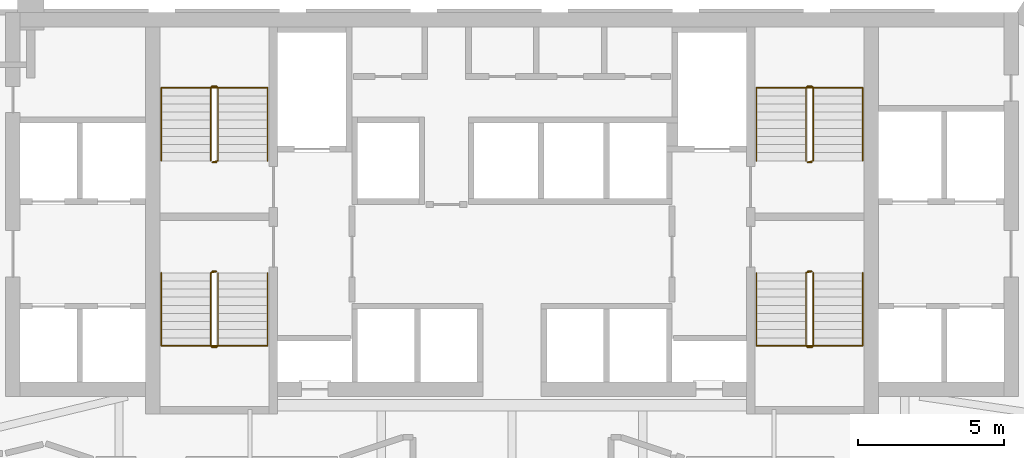
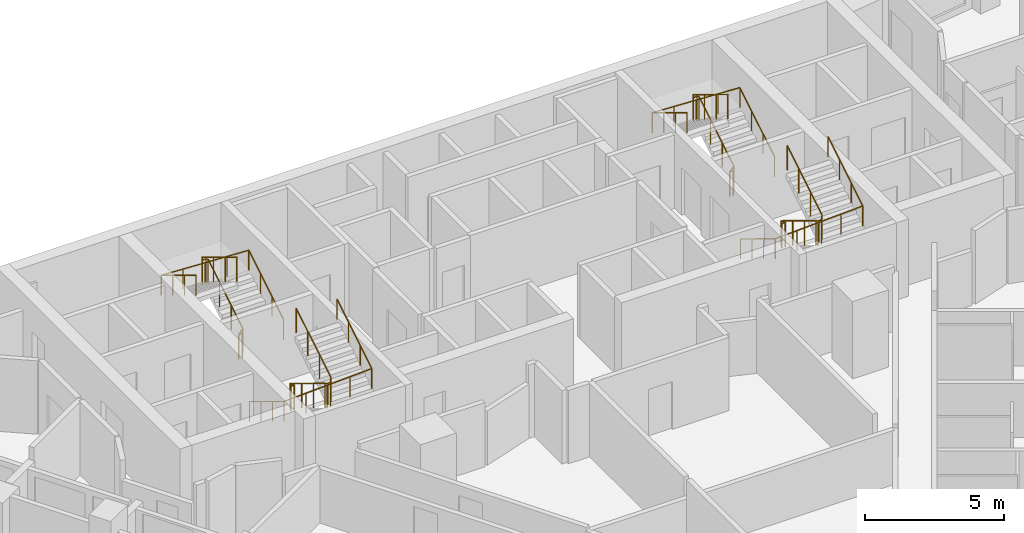
# One storey, part 11 of 11: 8 railings.
"""IFC4 building model written with IfcOpenShell, lengths in metres."""

from ifc_helpers import new_model, si_unit, direction, frame, origin, origin_2d, place, context, subcontext, project, spatial, circle, extrude, material, type_object, element, save


model = new_model("IFC4")

# Units and contexts
model_context = context("Model", 3, precision=1e-05, world=origin(), true_north=direction((0.0, 1.0)))
body_context = subcontext(model_context, "Body", "Model", "MODEL_VIEW")
ifc_project = project(units=[si_unit("LENGTHUNIT", "METRE"), si_unit("AREAUNIT", "SQUARE_METRE"), si_unit("VOLUMEUNIT", "CUBIC_METRE"), si_unit("PLANEANGLEUNIT", "RADIAN"), si_unit("MASSUNIT", "GRAM", prefix="KILO")], contexts=[model_context])

# Site, building, storey
site_placement = place(None, origin())
site = spatial("IfcSite", under=ifc_project, at=site_placement, CompositionType="ELEMENT")
building_placement = place(site_placement, origin())
building = spatial("IfcBuilding", under=site, at=building_placement, Name="Calabash Gate Tower", CompositionType="ELEMENT")
storey_placement = place(building_placement, frame((0.0, 0.0, 119.0)))
storey = spatial("IfcBuildingStorey", under=building, at=storey_placement, Name="L27", CompositionType="ELEMENT", Elevation=119.0)

# Railings
ifc_material_1 = material(Name="Black powder-coated steel balusters", Category="steel")
railing_type_1 = type_object("IfcRailingType", Name="Stair guard RL1100", PredefinedType="GUARDRAIL", material=ifc_material_1)
railing_1_placement = place(storey_placement, frame((-10.14990234375, 13.902587890625, 0.0)))
element("IfcRailing", 1, at=railing_1_placement, inside=storey, type_object=railing_type_1, Name="L27 ST1 stair guard 1", PredefinedType="GUARDRAIL", context=body_context, shape_type="SweptSolid", body=[
    extrude(circle(Radius=0.02392578125, at=origin_2d()), frame((0.0, 0.0, 1.076171875), z_axis=(-1.0, 0.0, 0.0), x_axis=(0.0, -1.0, 0.0)), (0.0, 0.0, 1.0), 0.150146484375),
    extrude(circle(Radius=0.02392578125, at=origin_2d()), frame((-0.150146484375, 0.0, 1.076171875), z_axis=(0.748514443355, 0.187357095101, 0.636100186295), x_axis=(-0.242814311512, 0.970072785993, 0.0)), (0.0, 0.0, 1.0), 0.26708984375),
    extrude(circle(Radius=0.02392578125, at=origin_2d()), frame((0.0498046875, 0.050048828125, 1.24609375), z_axis=(0.0, 0.853956361026, 0.520344629514), x_axis=(-1.0, 0.0, 0.0)), (0.0, 0.0, 1.0), 2.9404296875),
    extrude(circle(Radius=0.02392578125, at=origin_2d()), frame((0.0498046875, 2.56103515625, 2.77587890625), z_axis=(-0.705375805398, 0.708833529934, 0.0), x_axis=(-0.708833529934, -0.705375805398, 0.0)), (0.0, 0.0, 1.0), 0.070556640625),
    extrude(circle(Radius=0.02392578125, at=origin_2d()), frame((0.0, 2.611083984375, 2.77587890625), z_axis=(-1.0, 0.0, 0.0), x_axis=(0.0, -1.0, 0.0)), (0.0, 0.0, 1.0), 0.150146484375),
    extrude(circle(Radius=0.02392578125, at=origin_2d()), frame((-0.150146484375, 2.611083984375, 2.77587890625), z_axis=(-0.271562723297, -0.271562723297, 0.923313259209), x_axis=(0.707106781187, -0.707106781187, 0.0)), (0.0, 0.0, 1.0), 0.184326171875),
    extrude(circle(Radius=0.02392578125, at=origin_2d()), frame((-0.2001953125, 2.56103515625, 2.9462890625), z_axis=(0.0, -0.853993254676, 0.52028407718), x_axis=(1.0, 0.0, 0.0)), (0.0, 0.0, 1.0), 2.940185546875),
    extrude(circle(Radius=0.02099609375, at=origin_2d()), origin(), (0.0, 0.0, 1.0), 1.052001953125),
    extrude(circle(Radius=0.02099609375, at=origin_2d()), frame((-0.150146484375, 0.0, 0.0)), (0.0, 0.0, 1.0), 1.052001953125),
    extrude(circle(Radius=0.02099609375, at=origin_2d()), frame((0.0498046875, 0.050048828125, 0.169921875)), (0.0, 0.0, 1.0), 1.052001953125),
    extrude(circle(Radius=0.02099609375, at=origin_2d()), frame((0.0498046875, 0.886962890625, 0.679931640625)), (0.0, 0.0, 1.0), 1.052001953125),
    extrude(circle(Radius=0.02099609375, at=origin_2d()), frame((0.0498046875, 1.72412109375, 1.18994140625)), (0.0, 0.0, 1.0), 1.052001953125),
    extrude(circle(Radius=0.02099609375, at=origin_2d()), frame((0.0498046875, 2.56103515625, 1.699951171875)), (0.0, 0.0, 1.0), 1.052001953125),
    extrude(circle(Radius=0.02099609375, at=origin_2d()), frame((0.0, 2.611083984375, 1.699951171875)), (0.0, 0.0, 1.0), 1.052001953125),
    extrude(circle(Radius=0.02099609375, at=origin_2d()), frame((-0.150146484375, 2.611083984375, 1.699951171875)), (0.0, 0.0, 1.0), 1.052001953125),
    extrude(circle(Radius=0.02099609375, at=origin_2d()), frame((-0.2001953125, 2.56103515625, 1.8701171875)), (0.0, 0.0, 1.0), 1.052001953125),
    extrude(circle(Radius=0.02099609375, at=origin_2d()), frame((-0.2001953125, 1.72412109375, 2.380126953125)), (0.0, 0.0, 1.0), 1.052001953125),
    extrude(circle(Radius=0.02099609375, at=origin_2d()), frame((-0.2001953125, 0.886962890625, 2.889892578125)), (0.0, 0.0, 1.0), 1.052001953125),
    extrude(circle(Radius=0.02099609375, at=origin_2d()), frame((-0.2001953125, 0.050048828125, 3.39990234375)), (0.0, 0.0, 1.0), 1.052001953125),
])
railing_2_placement = place(storey_placement, frame((-10.300048828125, 10.152587890625, 0.0)))
element("IfcRailing", 2, at=railing_2_placement, inside=storey, type_object=railing_type_1, Name="L27 ST2 stair guard 1", PredefinedType="GUARDRAIL", context=body_context, shape_type="SweptSolid", body=[
    extrude(circle(Radius=0.02392578125, at=origin_2d()), frame((0.0, 0.0, 1.076171875), z_axis=(1.0, 0.0, 0.0), x_axis=(0.0, 1.0, 0.0)), (0.0, 0.0, 1.0), 0.150146484375),
    extrude(circle(Radius=0.02392578125, at=origin_2d()), frame((0.150146484375, 0.0, 1.076171875), z_axis=(-0.748915913269, -0.187228978317, 0.635665214189), x_axis=(0.242535625036, -0.970142500145, 0.0)), (0.0, 0.0, 1.0), 0.267333984375),
    extrude(circle(Radius=0.02392578125, at=origin_2d()), frame((-0.050048828125, -0.050048828125, 1.24609375), z_axis=(0.0, -0.853956361026, 0.520344629514), x_axis=(1.0, 0.0, 0.0)), (0.0, 0.0, 1.0), 2.9404296875),
    extrude(circle(Radius=0.02392578125, at=origin_2d()), frame((-0.050048828125, -2.56103515625, 2.77587890625), z_axis=(0.707106781187, -0.707106781187, 0.0), x_axis=(0.707106781187, 0.707106781187, 0.0)), (0.0, 0.0, 1.0), 0.07080078125),
    extrude(circle(Radius=0.02392578125, at=origin_2d()), frame((0.0, -2.611083984375, 2.77587890625), z_axis=(1.0, 0.0, 0.0), x_axis=(0.0, 1.0, 0.0)), (0.0, 0.0, 1.0), 0.150146484375),
    extrude(circle(Radius=0.02392578125, at=origin_2d()), frame((0.150146484375, -2.611083984375, 2.77587890625), z_axis=(0.270335057127, 0.271660228976, 0.923644778517), x_axis=(-0.708833529934, 0.705375805398, 0.0)), (0.0, 0.0, 1.0), 0.184326171875),
    extrude(circle(Radius=0.02392578125, at=origin_2d()), frame((0.199951171875, -2.56103515625, 2.9462890625), z_axis=(0.0, 0.853993254676, 0.52028407718), x_axis=(-1.0, 0.0, 0.0)), (0.0, 0.0, 1.0), 2.940185546875),
    extrude(circle(Radius=0.02099609375, at=origin_2d()), origin(), (0.0, 0.0, 1.0), 1.052001953125),
    extrude(circle(Radius=0.02099609375, at=origin_2d()), frame((0.150146484375, 0.0, 0.0)), (0.0, 0.0, 1.0), 1.052001953125),
    extrude(circle(Radius=0.02099609375, at=origin_2d()), frame((-0.050048828125, -0.050048828125, 0.169921875)), (0.0, 0.0, 1.0), 1.052001953125),
    extrude(circle(Radius=0.02099609375, at=origin_2d()), frame((-0.050048828125, -0.886962890625, 0.679931640625)), (0.0, 0.0, 1.0), 1.052001953125),
    extrude(circle(Radius=0.02099609375, at=origin_2d()), frame((-0.050048828125, -1.72412109375, 1.18994140625)), (0.0, 0.0, 1.0), 1.052001953125),
    extrude(circle(Radius=0.02099609375, at=origin_2d()), frame((-0.050048828125, -2.56103515625, 1.699951171875)), (0.0, 0.0, 1.0), 1.052001953125),
    extrude(circle(Radius=0.02099609375, at=origin_2d()), frame((0.0, -2.611083984375, 1.699951171875)), (0.0, 0.0, 1.0), 1.052001953125),
    extrude(circle(Radius=0.02099609375, at=origin_2d()), frame((0.150146484375, -2.611083984375, 1.699951171875)), (0.0, 0.0, 1.0), 1.052001953125),
    extrude(circle(Radius=0.02099609375, at=origin_2d()), frame((0.199951171875, -2.56103515625, 1.8701171875)), (0.0, 0.0, 1.0), 1.052001953125),
    extrude(circle(Radius=0.02099609375, at=origin_2d()), frame((0.199951171875, -1.72412109375, 2.380126953125)), (0.0, 0.0, 1.0), 1.052001953125),
    extrude(circle(Radius=0.02099609375, at=origin_2d()), frame((0.199951171875, -0.886962890625, 2.889892578125)), (0.0, 0.0, 1.0), 1.052001953125),
    extrude(circle(Radius=0.02099609375, at=origin_2d()), frame((0.199951171875, -0.050048828125, 3.39990234375)), (0.0, 0.0, 1.0), 1.052001953125),
])
railing_3_placement = place(storey_placement, frame((10.300048828125, 13.902587890625, 0.0)))
element("IfcRailing", 3, at=railing_3_placement, inside=storey, type_object=railing_type_1, Name="L27 ST3 stair guard 1", PredefinedType="GUARDRAIL", context=body_context, shape_type="SweptSolid", body=[
    extrude(circle(Radius=0.02392578125, at=origin_2d()), frame((0.0, 0.0, 1.076171875), z_axis=(-1.0, 0.0, 0.0), x_axis=(0.0, -1.0, 0.0)), (0.0, 0.0, 1.0), 0.150146484375),
    extrude(circle(Radius=0.02392578125, at=origin_2d()), frame((-0.150146484375, 0.0, 1.076171875), z_axis=(0.748915913269, 0.187228978317, 0.635665214189), x_axis=(-0.242535625036, 0.970142500145, 0.0)), (0.0, 0.0, 1.0), 0.267333984375),
    extrude(circle(Radius=0.02392578125, at=origin_2d()), frame((0.050048828125, 0.050048828125, 1.24609375), z_axis=(0.0, 0.853956361026, 0.520344629514), x_axis=(-1.0, 0.0, 0.0)), (0.0, 0.0, 1.0), 2.9404296875),
    extrude(circle(Radius=0.02392578125, at=origin_2d()), frame((0.050048828125, 2.56103515625, 2.77587890625), z_axis=(-0.707106781187, 0.707106781187, 0.0), x_axis=(-0.707106781187, -0.707106781187, 0.0)), (0.0, 0.0, 1.0), 0.07080078125),
    extrude(circle(Radius=0.02392578125, at=origin_2d()), frame((0.0, 2.611083984375, 2.77587890625), z_axis=(-1.0, 0.0, 0.0), x_axis=(0.0, -1.0, 0.0)), (0.0, 0.0, 1.0), 0.150146484375),
    extrude(circle(Radius=0.02392578125, at=origin_2d()), frame((-0.150146484375, 2.611083984375, 2.77587890625), z_axis=(-0.270335057127, -0.271660228976, 0.923644778517), x_axis=(0.708833529934, -0.705375805398, 0.0)), (0.0, 0.0, 1.0), 0.184326171875),
    extrude(circle(Radius=0.02392578125, at=origin_2d()), frame((-0.199951171875, 2.56103515625, 2.9462890625), z_axis=(0.0, -0.853993254676, 0.52028407718), x_axis=(1.0, 0.0, 0.0)), (0.0, 0.0, 1.0), 2.940185546875),
    extrude(circle(Radius=0.02099609375, at=origin_2d()), origin(), (0.0, 0.0, 1.0), 1.052001953125),
    extrude(circle(Radius=0.02099609375, at=origin_2d()), frame((-0.150146484375, 0.0, 0.0)), (0.0, 0.0, 1.0), 1.052001953125),
    extrude(circle(Radius=0.02099609375, at=origin_2d()), frame((0.050048828125, 0.050048828125, 0.169921875)), (0.0, 0.0, 1.0), 1.052001953125),
    extrude(circle(Radius=0.02099609375, at=origin_2d()), frame((0.050048828125, 0.886962890625, 0.679931640625)), (0.0, 0.0, 1.0), 1.052001953125),
    extrude(circle(Radius=0.02099609375, at=origin_2d()), frame((0.050048828125, 1.72412109375, 1.18994140625)), (0.0, 0.0, 1.0), 1.052001953125),
    extrude(circle(Radius=0.02099609375, at=origin_2d()), frame((0.050048828125, 2.56103515625, 1.699951171875)), (0.0, 0.0, 1.0), 1.052001953125),
    extrude(circle(Radius=0.02099609375, at=origin_2d()), frame((0.0, 2.611083984375, 1.699951171875)), (0.0, 0.0, 1.0), 1.052001953125),
    extrude(circle(Radius=0.02099609375, at=origin_2d()), frame((-0.150146484375, 2.611083984375, 1.699951171875)), (0.0, 0.0, 1.0), 1.052001953125),
    extrude(circle(Radius=0.02099609375, at=origin_2d()), frame((-0.199951171875, 2.56103515625, 1.8701171875)), (0.0, 0.0, 1.0), 1.052001953125),
    extrude(circle(Radius=0.02099609375, at=origin_2d()), frame((-0.199951171875, 1.72412109375, 2.380126953125)), (0.0, 0.0, 1.0), 1.052001953125),
    extrude(circle(Radius=0.02099609375, at=origin_2d()), frame((-0.199951171875, 0.886962890625, 2.889892578125)), (0.0, 0.0, 1.0), 1.052001953125),
    extrude(circle(Radius=0.02099609375, at=origin_2d()), frame((-0.199951171875, 0.050048828125, 3.39990234375)), (0.0, 0.0, 1.0), 1.052001953125),
])
railing_4_placement = place(storey_placement, frame((10.14990234375, 10.152587890625, 0.0)))
element("IfcRailing", 4, at=railing_4_placement, inside=storey, type_object=railing_type_1, Name="L27 ST4 stair guard 1", PredefinedType="GUARDRAIL", context=body_context, shape_type="SweptSolid", body=[
    extrude(circle(Radius=0.02392578125, at=origin_2d()), frame((0.0, 0.0, 1.076171875), z_axis=(1.0, 0.0, 0.0), x_axis=(0.0, 1.0, 0.0)), (0.0, 0.0, 1.0), 0.150146484375),
    extrude(circle(Radius=0.02392578125, at=origin_2d()), frame((0.150146484375, 0.0, 1.076171875), z_axis=(-0.748514443355, -0.187357095101, 0.636100186295), x_axis=(0.242814311512, -0.970072785993, 0.0)), (0.0, 0.0, 1.0), 0.26708984375),
    extrude(circle(Radius=0.02392578125, at=origin_2d()), frame((-0.0498046875, -0.050048828125, 1.24609375), z_axis=(0.0, -0.853956361026, 0.520344629514), x_axis=(1.0, 0.0, 0.0)), (0.0, 0.0, 1.0), 2.9404296875),
    extrude(circle(Radius=0.02392578125, at=origin_2d()), frame((-0.0498046875, -2.56103515625, 2.77587890625), z_axis=(0.705375805398, -0.708833529934, 0.0), x_axis=(0.708833529934, 0.705375805398, 0.0)), (0.0, 0.0, 1.0), 0.070556640625),
    extrude(circle(Radius=0.02392578125, at=origin_2d()), frame((0.0, -2.611083984375, 2.77587890625), z_axis=(1.0, 0.0, 0.0), x_axis=(0.0, 1.0, 0.0)), (0.0, 0.0, 1.0), 0.150146484375),
    extrude(circle(Radius=0.02392578125, at=origin_2d()), frame((0.150146484375, -2.611083984375, 2.77587890625), z_axis=(0.271562723297, 0.271562723297, 0.923313259209), x_axis=(-0.707106781187, 0.707106781187, 0.0)), (0.0, 0.0, 1.0), 0.184326171875),
    extrude(circle(Radius=0.02392578125, at=origin_2d()), frame((0.2001953125, -2.56103515625, 2.9462890625), z_axis=(0.0, 0.853993254676, 0.52028407718), x_axis=(-1.0, 0.0, 0.0)), (0.0, 0.0, 1.0), 2.940185546875),
    extrude(circle(Radius=0.02099609375, at=origin_2d()), origin(), (0.0, 0.0, 1.0), 1.052001953125),
    extrude(circle(Radius=0.02099609375, at=origin_2d()), frame((0.150146484375, 0.0, 0.0)), (0.0, 0.0, 1.0), 1.052001953125),
    extrude(circle(Radius=0.02099609375, at=origin_2d()), frame((-0.0498046875, -0.050048828125, 0.169921875)), (0.0, 0.0, 1.0), 1.052001953125),
    extrude(circle(Radius=0.02099609375, at=origin_2d()), frame((-0.0498046875, -0.886962890625, 0.679931640625)), (0.0, 0.0, 1.0), 1.052001953125),
    extrude(circle(Radius=0.02099609375, at=origin_2d()), frame((-0.0498046875, -1.72412109375, 1.18994140625)), (0.0, 0.0, 1.0), 1.052001953125),
    extrude(circle(Radius=0.02099609375, at=origin_2d()), frame((-0.0498046875, -2.56103515625, 1.699951171875)), (0.0, 0.0, 1.0), 1.052001953125),
    extrude(circle(Radius=0.02099609375, at=origin_2d()), frame((0.0, -2.611083984375, 1.699951171875)), (0.0, 0.0, 1.0), 1.052001953125),
    extrude(circle(Radius=0.02099609375, at=origin_2d()), frame((0.150146484375, -2.611083984375, 1.699951171875)), (0.0, 0.0, 1.0), 1.052001953125),
    extrude(circle(Radius=0.02099609375, at=origin_2d()), frame((0.2001953125, -2.56103515625, 1.8701171875)), (0.0, 0.0, 1.0), 1.052001953125),
    extrude(circle(Radius=0.02099609375, at=origin_2d()), frame((0.2001953125, -1.72412109375, 2.380126953125)), (0.0, 0.0, 1.0), 1.052001953125),
    extrude(circle(Radius=0.02099609375, at=origin_2d()), frame((0.2001953125, -0.886962890625, 2.889892578125)), (0.0, 0.0, 1.0), 1.052001953125),
    extrude(circle(Radius=0.02099609375, at=origin_2d()), frame((0.2001953125, -0.050048828125, 3.39990234375)), (0.0, 0.0, 1.0), 1.052001953125),
])
ifc_material_2 = material(Name="Black powder-coated steel tube 48 mm", Category="steel")
railing_type_2 = type_object("IfcRailingType", Name="Stair handrail RL900", PredefinedType="HANDRAIL", material=ifc_material_2)
railing_5_placement = place(storey_placement, frame((-8.39990234375, 13.95263671875, 0.169921875)))
element("IfcRailing", 5, at=railing_5_placement, inside=storey, type_object=railing_type_2, Name="L27 ST1 stair handrail 1", PredefinedType="HANDRAIL", context=body_context, shape_type="SweptSolid", body=[
    extrude(circle(Radius=0.02392578125, at=origin_2d()), frame((0.0, 0.0, 0.8759765625), z_axis=(0.0, 0.853956361026, 0.520344629514), x_axis=(-1.0, 0.0, 0.0)), (0.0, 0.0, 1.0), 2.9404296875),
    extrude(circle(Radius=0.02392578125, at=origin_2d()), frame((0.0, 2.510986328125, 2.40576171875), z_axis=(-0.99891510456, 0.0, 0.046568378562), x_axis=(0.0, -1.0, 0.0)), (0.0, 0.0, 1.0), 3.654052734375),
    extrude(circle(Radius=0.02392578125, at=origin_2d()), frame((-3.650146484375, 2.510986328125, 2.576171875), z_axis=(0.0, -0.853993254676, 0.52028407718), x_axis=(1.0, 0.0, 0.0)), (0.0, 0.0, 1.0), 2.940185546875),
    extrude(circle(Radius=0.02099609375, at=origin_2d()), origin(), (0.0, 0.0, 1.0), 0.851806640625),
    extrude(circle(Radius=0.02099609375, at=origin_2d()), frame((0.0, 0.8369140625, 0.510009765625)), (0.0, 0.0, 1.0), 0.851806640625),
    extrude(circle(Radius=0.02099609375, at=origin_2d()), frame((0.0, 1.674072265625, 1.02001953125)), (0.0, 0.0, 1.0), 0.851806640625),
    extrude(circle(Radius=0.02099609375, at=origin_2d()), frame((0.0, 2.510986328125, 1.530029296875)), (0.0, 0.0, 1.0), 0.851806640625),
    extrude(circle(Radius=0.02099609375, at=origin_2d()), frame((-0.91259765625, 2.510986328125, 1.572509765625)), (0.0, 0.0, 1.0), 0.851806640625),
    extrude(circle(Radius=0.02099609375, at=origin_2d()), frame((-1.8251953125, 2.510986328125, 1.615234375)), (0.0, 0.0, 1.0), 0.851806640625),
    extrude(circle(Radius=0.02099609375, at=origin_2d()), frame((-2.737548828125, 2.510986328125, 1.65771484375)), (0.0, 0.0, 1.0), 0.851806640625),
    extrude(circle(Radius=0.02099609375, at=origin_2d()), frame((-3.650146484375, 2.510986328125, 1.7001953125)), (0.0, 0.0, 1.0), 0.851806640625),
    extrude(circle(Radius=0.02099609375, at=origin_2d()), frame((-3.650146484375, 1.674072265625, 2.210205078125)), (0.0, 0.0, 1.0), 0.851806640625),
    extrude(circle(Radius=0.02099609375, at=origin_2d()), frame((-3.650146484375, 0.8369140625, 2.719970703125)), (0.0, 0.0, 1.0), 0.851806640625),
    extrude(circle(Radius=0.02099609375, at=origin_2d()), frame((-3.650146484375, 0.0, 3.22998046875)), (0.0, 0.0, 1.0), 0.851806640625),
])
railing_6_placement = place(storey_placement, frame((-12.050048828125, 10.1025390625, 0.169921875)))
element("IfcRailing", 6, at=railing_6_placement, inside=storey, type_object=railing_type_2, Name="L27 ST2 stair handrail 1", PredefinedType="HANDRAIL", context=body_context, shape_type="SweptSolid", body=[
    extrude(circle(Radius=0.02392578125, at=origin_2d()), frame((0.0, 0.0, 0.8759765625), z_axis=(0.0, -0.853956361026, 0.520344629514), x_axis=(1.0, 0.0, 0.0)), (0.0, 0.0, 1.0), 2.9404296875),
    extrude(circle(Radius=0.02392578125, at=origin_2d()), frame((0.0, -2.510986328125, 2.40576171875), z_axis=(0.99891510456, 0.0, 0.046568378562), x_axis=(0.0, 1.0, 0.0)), (0.0, 0.0, 1.0), 3.654052734375),
    extrude(circle(Radius=0.02392578125, at=origin_2d()), frame((3.650146484375, -2.510986328125, 2.576171875), z_axis=(0.0, 0.853993254676, 0.52028407718), x_axis=(-1.0, 0.0, 0.0)), (0.0, 0.0, 1.0), 2.940185546875),
    extrude(circle(Radius=0.02099609375, at=origin_2d()), origin(), (0.0, 0.0, 1.0), 0.851806640625),
    extrude(circle(Radius=0.02099609375, at=origin_2d()), frame((0.0, -0.8369140625, 0.510009765625)), (0.0, 0.0, 1.0), 0.851806640625),
    extrude(circle(Radius=0.02099609375, at=origin_2d()), frame((0.0, -1.674072265625, 1.02001953125)), (0.0, 0.0, 1.0), 0.851806640625),
    extrude(circle(Radius=0.02099609375, at=origin_2d()), frame((0.0, -2.510986328125, 1.530029296875)), (0.0, 0.0, 1.0), 0.851806640625),
    extrude(circle(Radius=0.02099609375, at=origin_2d()), frame((0.91259765625, -2.510986328125, 1.572509765625)), (0.0, 0.0, 1.0), 0.851806640625),
    extrude(circle(Radius=0.02099609375, at=origin_2d()), frame((1.8251953125, -2.510986328125, 1.615234375)), (0.0, 0.0, 1.0), 0.851806640625),
    extrude(circle(Radius=0.02099609375, at=origin_2d()), frame((2.737548828125, -2.510986328125, 1.65771484375)), (0.0, 0.0, 1.0), 0.851806640625),
    extrude(circle(Radius=0.02099609375, at=origin_2d()), frame((3.650146484375, -2.510986328125, 1.7001953125)), (0.0, 0.0, 1.0), 0.851806640625),
    extrude(circle(Radius=0.02099609375, at=origin_2d()), frame((3.650146484375, -1.674072265625, 2.210205078125)), (0.0, 0.0, 1.0), 0.851806640625),
    extrude(circle(Radius=0.02099609375, at=origin_2d()), frame((3.650146484375, -0.8369140625, 2.719970703125)), (0.0, 0.0, 1.0), 0.851806640625),
    extrude(circle(Radius=0.02099609375, at=origin_2d()), frame((3.650146484375, 0.0, 3.22998046875)), (0.0, 0.0, 1.0), 0.851806640625),
])
railing_7_placement = place(storey_placement, frame((12.050048828125, 13.95263671875, 0.169921875)))
element("IfcRailing", 7, at=railing_7_placement, inside=storey, type_object=railing_type_2, Name="L27 ST3 stair handrail 1", PredefinedType="HANDRAIL", context=body_context, shape_type="SweptSolid", body=[
    extrude(circle(Radius=0.02392578125, at=origin_2d()), frame((0.0, 0.0, 0.8759765625), z_axis=(0.0, 0.853956361026, 0.520344629514), x_axis=(-1.0, 0.0, 0.0)), (0.0, 0.0, 1.0), 2.9404296875),
    extrude(circle(Radius=0.02392578125, at=origin_2d()), frame((0.0, 2.510986328125, 2.40576171875), z_axis=(-0.99891510456, 0.0, 0.046568378562), x_axis=(0.0, -1.0, 0.0)), (0.0, 0.0, 1.0), 3.654052734375),
    extrude(circle(Radius=0.02392578125, at=origin_2d()), frame((-3.650146484375, 2.510986328125, 2.576171875), z_axis=(0.0, -0.853993254676, 0.52028407718), x_axis=(1.0, 0.0, 0.0)), (0.0, 0.0, 1.0), 2.940185546875),
    extrude(circle(Radius=0.02099609375, at=origin_2d()), origin(), (0.0, 0.0, 1.0), 0.851806640625),
    extrude(circle(Radius=0.02099609375, at=origin_2d()), frame((0.0, 0.8369140625, 0.510009765625)), (0.0, 0.0, 1.0), 0.851806640625),
    extrude(circle(Radius=0.02099609375, at=origin_2d()), frame((0.0, 1.674072265625, 1.02001953125)), (0.0, 0.0, 1.0), 0.851806640625),
    extrude(circle(Radius=0.02099609375, at=origin_2d()), frame((0.0, 2.510986328125, 1.530029296875)), (0.0, 0.0, 1.0), 0.851806640625),
    extrude(circle(Radius=0.02099609375, at=origin_2d()), frame((-0.91259765625, 2.510986328125, 1.572509765625)), (0.0, 0.0, 1.0), 0.851806640625),
    extrude(circle(Radius=0.02099609375, at=origin_2d()), frame((-1.8251953125, 2.510986328125, 1.615234375)), (0.0, 0.0, 1.0), 0.851806640625),
    extrude(circle(Radius=0.02099609375, at=origin_2d()), frame((-2.737548828125, 2.510986328125, 1.65771484375)), (0.0, 0.0, 1.0), 0.851806640625),
    extrude(circle(Radius=0.02099609375, at=origin_2d()), frame((-3.650146484375, 2.510986328125, 1.7001953125)), (0.0, 0.0, 1.0), 0.851806640625),
    extrude(circle(Radius=0.02099609375, at=origin_2d()), frame((-3.650146484375, 1.674072265625, 2.210205078125)), (0.0, 0.0, 1.0), 0.851806640625),
    extrude(circle(Radius=0.02099609375, at=origin_2d()), frame((-3.650146484375, 0.8369140625, 2.719970703125)), (0.0, 0.0, 1.0), 0.851806640625),
    extrude(circle(Radius=0.02099609375, at=origin_2d()), frame((-3.650146484375, 0.0, 3.22998046875)), (0.0, 0.0, 1.0), 0.851806640625),
])
railing_8_placement = place(storey_placement, frame((8.39990234375, 10.1025390625, 0.169921875)))
element("IfcRailing", 8, at=railing_8_placement, inside=storey, type_object=railing_type_2, Name="L27 ST4 stair handrail 1", PredefinedType="HANDRAIL", context=body_context, shape_type="SweptSolid", body=[
    extrude(circle(Radius=0.02392578125, at=origin_2d()), frame((0.0, 0.0, 0.8759765625), z_axis=(0.0, -0.853956361026, 0.520344629514), x_axis=(1.0, 0.0, 0.0)), (0.0, 0.0, 1.0), 2.9404296875),
    extrude(circle(Radius=0.02392578125, at=origin_2d()), frame((0.0, -2.510986328125, 2.40576171875), z_axis=(0.99891510456, 0.0, 0.046568378562), x_axis=(0.0, 1.0, 0.0)), (0.0, 0.0, 1.0), 3.654052734375),
    extrude(circle(Radius=0.02392578125, at=origin_2d()), frame((3.650146484375, -2.510986328125, 2.576171875), z_axis=(0.0, 0.853993254676, 0.52028407718), x_axis=(-1.0, 0.0, 0.0)), (0.0, 0.0, 1.0), 2.940185546875),
    extrude(circle(Radius=0.02099609375, at=origin_2d()), origin(), (0.0, 0.0, 1.0), 0.851806640625),
    extrude(circle(Radius=0.02099609375, at=origin_2d()), frame((0.0, -0.8369140625, 0.510009765625)), (0.0, 0.0, 1.0), 0.851806640625),
    extrude(circle(Radius=0.02099609375, at=origin_2d()), frame((0.0, -1.674072265625, 1.02001953125)), (0.0, 0.0, 1.0), 0.851806640625),
    extrude(circle(Radius=0.02099609375, at=origin_2d()), frame((0.0, -2.510986328125, 1.530029296875)), (0.0, 0.0, 1.0), 0.851806640625),
    extrude(circle(Radius=0.02099609375, at=origin_2d()), frame((0.91259765625, -2.510986328125, 1.572509765625)), (0.0, 0.0, 1.0), 0.851806640625),
    extrude(circle(Radius=0.02099609375, at=origin_2d()), frame((1.8251953125, -2.510986328125, 1.615234375)), (0.0, 0.0, 1.0), 0.851806640625),
    extrude(circle(Radius=0.02099609375, at=origin_2d()), frame((2.737548828125, -2.510986328125, 1.65771484375)), (0.0, 0.0, 1.0), 0.851806640625),
    extrude(circle(Radius=0.02099609375, at=origin_2d()), frame((3.650146484375, -2.510986328125, 1.7001953125)), (0.0, 0.0, 1.0), 0.851806640625),
    extrude(circle(Radius=0.02099609375, at=origin_2d()), frame((3.650146484375, -1.674072265625, 2.210205078125)), (0.0, 0.0, 1.0), 0.851806640625),
    extrude(circle(Radius=0.02099609375, at=origin_2d()), frame((3.650146484375, -0.8369140625, 2.719970703125)), (0.0, 0.0, 1.0), 0.851806640625),
    extrude(circle(Radius=0.02099609375, at=origin_2d()), frame((3.650146484375, 0.0, 3.22998046875)), (0.0, 0.0, 1.0), 0.851806640625),
])

save(model, "model.ifc")
